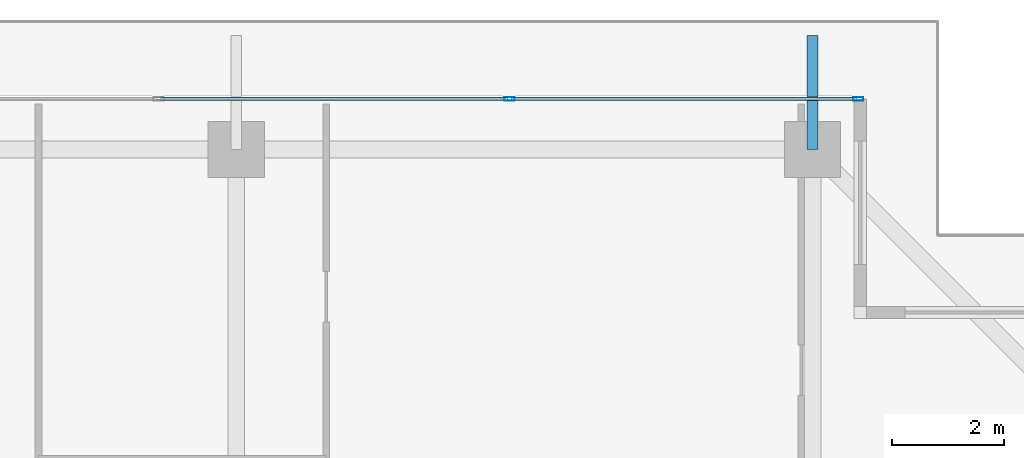
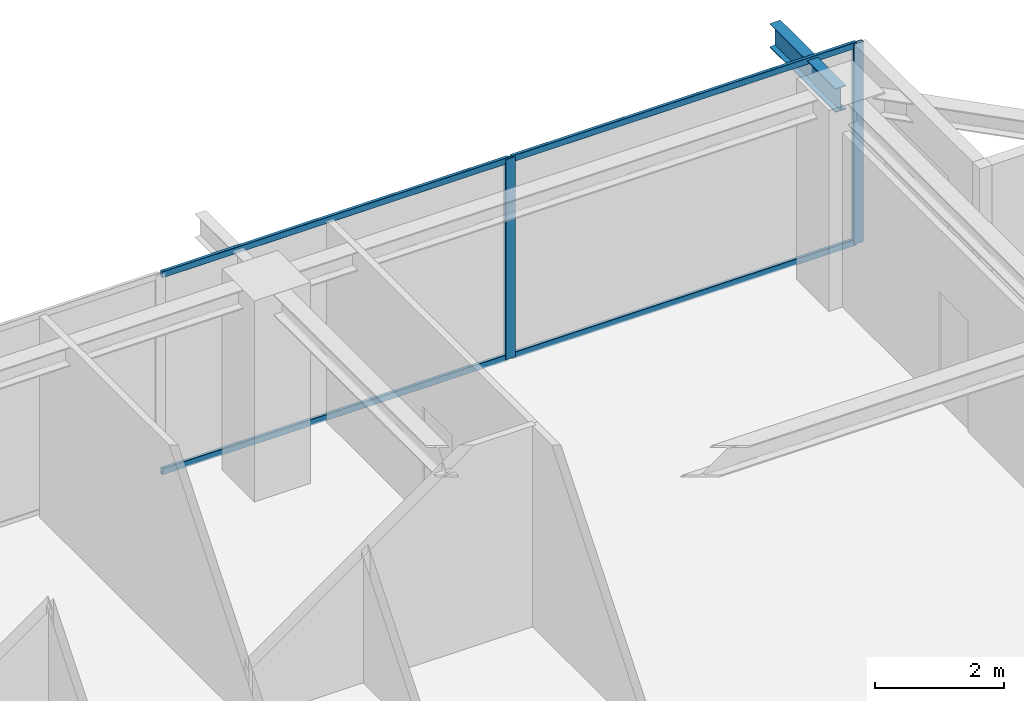
# One storey, part 24 of 37: 6 members, 1 beam, 1 element without a shape of its own.
"""IFC4 building model written with IfcOpenShell, lengths in metres."""

from ifc_helpers import new_model, si_unit, direction, frame, origin, origin_2d, place, context, subcontext, project, spatial, hollow_rectangle, i_section, extrude, source, transform, mapped, material, layer, layer_set, material_profile, profile_set, type_object, element, aggregate, save


model = new_model("IFC4")

# Units and contexts
model_context = context("Model", 3, precision=1e-05, world=origin(), true_north=direction((0.0, 1.0)))
body_context = subcontext(model_context, "Body", "Model", "MODEL_VIEW")
ifc_project = project(units=[si_unit("LENGTHUNIT", "METRE"), si_unit("AREAUNIT", "SQUARE_METRE"), si_unit("VOLUMEUNIT", "CUBIC_METRE"), si_unit("PLANEANGLEUNIT", "RADIAN"), si_unit("MASSUNIT", "GRAM", prefix="KILO")], contexts=[model_context])

# Site, building, storey
site_placement = place(None, origin())
site = spatial("IfcSite", under=ifc_project, at=site_placement, CompositionType="ELEMENT")
building_placement = place(site_placement, origin())
building = spatial("IfcBuilding", under=site, at=building_placement, Name="Serunith Strait Residences", CompositionType="ELEMENT")
storey_placement = place(building_placement, frame((0.0, 0.0, 305.60009765625)))
storey = spatial("IfcBuildingStorey", under=building, at=storey_placement, Name="L76", CompositionType="ELEMENT", Elevation=305.60009765625)

# Beam
ifc_material_1 = material(Name="Steel S355J2", Category="steel")
ifc_material_profile_1 = material_profile(ifc_material_1, i_section(OverallWidth=0.18994140625, OverallDepth=0.449951171875, WebThickness=0.009521484375, FlangeThickness=0.0146484375, FilletRadius=0.02099609375, at=origin_2d()), Name="IPE 450")
ifc_profile_set_1 = profile_set([ifc_material_profile_1], Name="Steel S355J2")
beam_type = type_object("IfcBeamType", Name="BM-IPE450", PredefinedType="JOIST", material=ifc_profile_set_1)
shared_shape_1 = source(origin(), body_context, "Body", "SweptSolid", [
    extrude(i_section(OverallWidth=0.18994140625, OverallDepth=0.449951171875, WebThickness=0.009521484375, FlangeThickness=0.0146484375, FilletRadius=0.02099609375, at=origin_2d()), origin(), (0.0, 0.0, 1.0), 2.02978515625),
])
beam_placement = place(storey_placement, frame((47.14990234375, 47.10009765625, 3.531982421875), z_axis=(0.0, 1.0, 0.0), x_axis=(-1.0, 0.0, 0.0)))
element("IfcBeam", 1, at=beam_placement, inside=storey, type_object=beam_type, Name="L77 Cantilevered Balcony Rib TC-N4", PredefinedType="JOIST", context=body_context, shape_type="MappedRepresentation", body=[
    mapped(shared_shape_1, transform((0.0, 0.0, 0.0), scale=1.0)),
])

# Curtain wall, members
ifc_material_2 = material(Name="Brushed Stainless-Silver Aluminium", Category="aluminium")
ifc_layer = layer(ifc_material_2, 0.199951171875, Name="Brushed Stainless-Silver Aluminium")
ifc_layer_set = layer_set([ifc_layer], Name="Brushed Stainless-Silver Aluminium")
curtain_wall_type = type_object("IfcCurtainWallType", Name="CW-SYS5", PredefinedType="NOTDEFINED", material=ifc_layer_set)
curtain_wall_placement = place(storey_placement, origin())
curtain_wall = element("IfcCurtainWall", 2, at=curtain_wall_placement, inside=storey, type_object=curtain_wall_type, Name="L76 N Unitised Fritted Curtain Wall", PredefinedType="NOTDEFINED")
ifc_material_profile_2 = material_profile(ifc_material_2, hollow_rectangle(XDim=0.06005859375, YDim=0.1201171875, WallThickness=0.00341796875, InnerFilletRadius=0.00537109375, OuterFilletRadius=0.0087890625, at=origin_2d()), Name="ALU 120x60x3.5")
ifc_profile_set_2 = profile_set([ifc_material_profile_2], Name="Brushed Stainless-Silver Aluminium")
member_type_1 = type_object("IfcMemberType", Name="CW-SYS5-TRAN", PredefinedType="USERDEFINED", material=ifc_profile_set_2)
shared_shape_2 = source(origin(), body_context, "Body", "SweptSolid", [
    extrude(hollow_rectangle(XDim=0.06005859375, YDim=0.1201171875, WallThickness=0.00341796875, InnerFilletRadius=0.00537109375, OuterFilletRadius=0.0087890625, at=origin_2d()), origin(), (0.0, 0.0, 1.0), 6.142578125),
])
member_1_placement = place(storey_placement, frame((47.93505859375, 48.0, 0.02978515625), z_axis=(-1.0, 0.0, 0.0), x_axis=(0.0, -1.0, 0.0)))
member_1 = element("IfcMember", 3, at=member_1_placement, type_object=member_type_1, Name="CW-5 transom 1.1", ObjectType="TRANSOM", PredefinedType="USERDEFINED", context=body_context, shape_type="MappedRepresentation", body=[
    mapped(shared_shape_2, transform((0.0, 0.0, 0.0), scale=1.0)),
])
member_2_placement = place(storey_placement, frame((47.93505859375, 48.0, 3.744873046875), z_axis=(-1.0, 0.0, 0.0), x_axis=(0.0, -1.0, 0.0)))
member_2 = element("IfcMember", 4, at=member_2_placement, type_object=member_type_1, Name="CW-5 transom 1.2", ObjectType="TRANSOM", PredefinedType="USERDEFINED", context=body_context, shape_type="MappedRepresentation", body=[
    mapped(shared_shape_2, transform((0.0, 0.0, 0.0), scale=1.0)),
])
shared_shape_3 = source(origin(), body_context, "Body", "SweptSolid", [
    extrude(hollow_rectangle(XDim=0.06005859375, YDim=0.1201171875, WallThickness=0.00341796875, InnerFilletRadius=0.00537109375, OuterFilletRadius=0.0087890625, at=origin_2d()), origin(), (0.0, 0.0, 1.0), 6.175048828125),
])
member_3_placement = place(storey_placement, frame((41.7275390625, 48.0, 0.02978515625), z_axis=(-1.0, 0.0, 0.0), x_axis=(0.0, -1.0, 0.0)))
member_3 = element("IfcMember", 5, at=member_3_placement, type_object=member_type_1, Name="CW-5 transom 2.1", ObjectType="TRANSOM", PredefinedType="USERDEFINED", context=body_context, shape_type="MappedRepresentation", body=[
    mapped(shared_shape_3, transform((0.0, 0.0, 0.0), scale=1.0)),
])
member_4_placement = place(storey_placement, frame((41.7275390625, 48.0, 3.744873046875), z_axis=(-1.0, 0.0, 0.0), x_axis=(0.0, -1.0, 0.0)))
member_4 = element("IfcMember", 6, at=member_4_placement, type_object=member_type_1, Name="CW-5 transom 2.2", ObjectType="TRANSOM", PredefinedType="USERDEFINED", context=body_context, shape_type="MappedRepresentation", body=[
    mapped(shared_shape_3, transform((0.0, 0.0, 0.0), scale=1.0)),
])
ifc_material_profile_3 = material_profile(ifc_material_2, hollow_rectangle(XDim=0.06494140625, YDim=0.179931640625, WallThickness=0.00341796875, InnerFilletRadius=0.00537109375, OuterFilletRadius=0.0087890625, at=origin_2d()), Name="ALU 180x65x3.5")
ifc_profile_set_3 = profile_set([ifc_material_profile_3], Name="Brushed Stainless-Silver Aluminium")
member_type_2 = type_object("IfcMemberType", Name="CW-SYS5-MULL", PredefinedType="MULLION", material=ifc_profile_set_3)
shared_shape_4 = source(origin(), body_context, "Body", "SweptSolid", [
    extrude(hollow_rectangle(XDim=0.06494140625, YDim=0.179931640625, WallThickness=0.00341796875, InnerFilletRadius=0.00537109375, OuterFilletRadius=0.0087890625, at=origin_2d()), origin(), (0.0, 0.0, 1.0), 3.77490234375),
])
member_5_placement = place(storey_placement, frame((47.967529296875, 48.0, 0.0), z_axis=(0.0, 0.0, 1.0), x_axis=(0.0, -1.0, 0.0)))
member_5 = element("IfcMember", 7, at=member_5_placement, type_object=member_type_2, Name="CW-5 mullion 1", PredefinedType="MULLION", context=body_context, shape_type="MappedRepresentation", body=[
    mapped(shared_shape_4, transform((0.0, 0.0, 0.0), scale=1.0)),
])
member_6_placement = place(storey_placement, frame((41.760009765625, 48.0, 0.0), z_axis=(0.0, 0.0, 1.0), x_axis=(0.0, -1.0, 0.0)))
member_6 = element("IfcMember", 8, at=member_6_placement, type_object=member_type_2, Name="CW-5 mullion 2", PredefinedType="MULLION", context=body_context, shape_type="MappedRepresentation", body=[
    mapped(shared_shape_4, transform((0.0, 0.0, 0.0), scale=1.0)),
])
aggregate(curtain_wall, [member_5, member_6, member_1, member_2, member_3, member_4])

save(model, "model.ifc")
